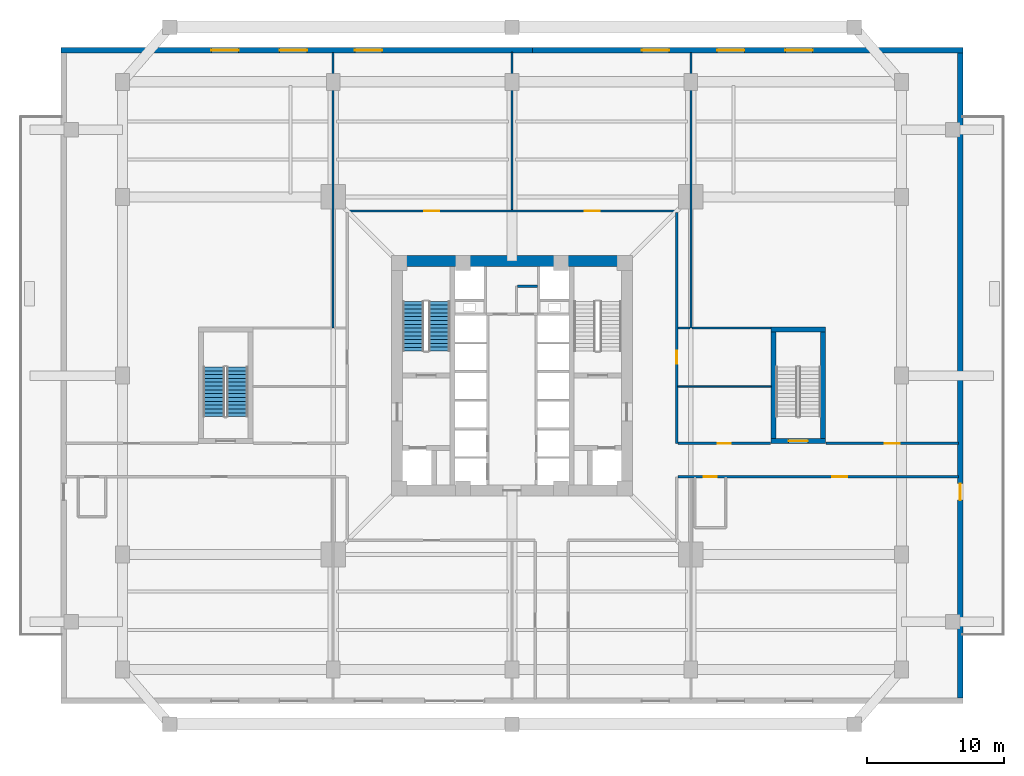
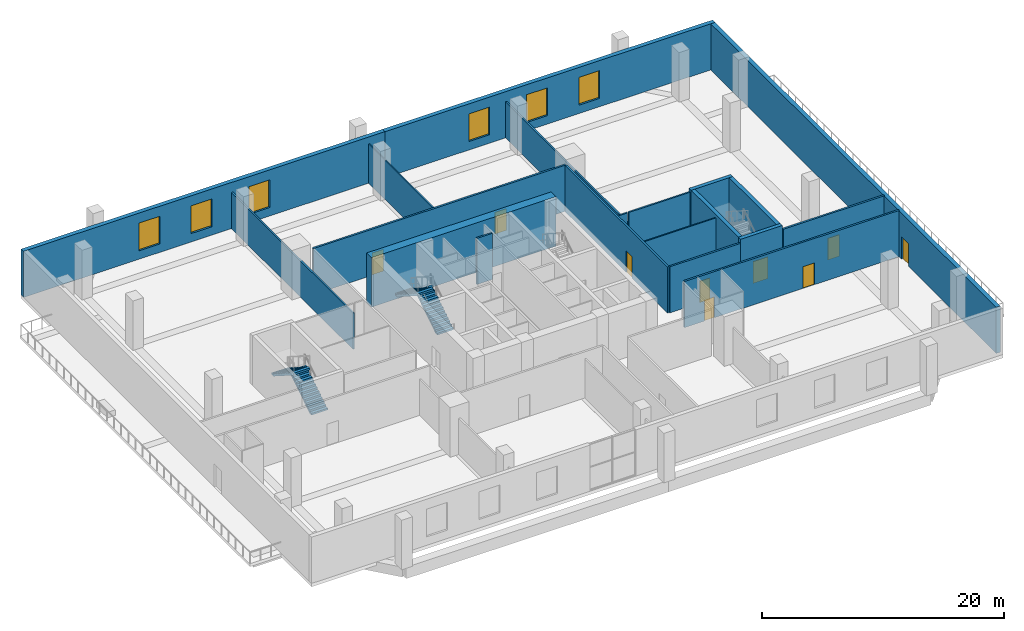
# One storey, part 8 of 14: 20 walls, 9 doors, 6 windows, 4 stair flights, 15 openings, 2 elements without a shape of their own.
"""IFC4 building model written with IfcOpenShell, lengths in metres."""

import ifcopenshell
import ifcopenshell.guid

model = None  # the IFC model being written
_history = None  # IfcOwnerHistory: only IFC2X3 demands one
_inside = {}  # id of a spatial element -> (the spatial element, [elements in it])
_under = {}  # id of a project, library or spatial element -> (it, [spatial elements below it])
_declared = {}  # id of a project -> (the project, [libraries it declares])
_typed = {}  # id of a type object -> (the type object, [elements of that type])
_made_of = {}  # id of a material, layer set ... -> (it, [elements and type objects made of it])


def new_model(schema):
    """Start an empty IFC model of exactly this schema.

    Asked for "IFC4X3", IfcOpenShell would pick the latest addendum, in which some entities
    have other attributes; the version numbers below select the first issue.
    IFC2X3 requires an IfcOwnerHistory on every rooted entity: one is made here for all.
    """
    global model, _history
    if schema == "IFC4X3":
        model = ifcopenshell.file(schema_version=(4, 3, 0, 0))
    else:
        model = ifcopenshell.file(schema=schema)
    _inside.clear()
    _under.clear()
    _declared.clear()
    _typed.clear()
    _made_of.clear()
    _history = None
    if model.schema == "IFC2X3":
        org = make("IfcOrganization", Name="unknown")
        user = make(
            "IfcPersonAndOrganization",
            ThePerson=make("IfcPerson", FamilyName="unknown"),
            TheOrganization=org,
        )
        app = make(
            "IfcApplication",
            ApplicationDeveloper=org,
            Version="unknown",
            ApplicationFullName="unknown",
            ApplicationIdentifier="unknown",
        )
        _history = make(
            "IfcOwnerHistory",
            OwningUser=user,
            OwningApplication=app,
            ChangeAction="ADDED",
            CreationDate=0,
        )
    return model


def make(cls, **values):
    """One entity of the class cls with the attributes given. An attribute that is None is left unset."""
    return model.create_entity(
        cls, **{name: value for name, value in values.items() if value is not None}
    )


def rooted(cls, **values):
    """An entity with a GlobalId (a new one), such as an element, a storey or a relation."""
    return make(cls, GlobalId=ifcopenshell.guid.new(), OwnerHistory=_history, **values)


def si_unit(unit_type, name, prefix=None):
    """IfcSIUnit, for example si_unit("LENGTHUNIT", "METRE", prefix="MILLI")."""
    return make("IfcSIUnit", UnitType=unit_type, Prefix=prefix, Name=name)


def assignment(units):
    """IfcUnitAssignment: the units of a project."""
    return None if units is None else make("IfcUnitAssignment", Units=units)


def point(xyz):
    """IfcCartesianPoint."""
    return None if xyz is None else make("IfcCartesianPoint", Coordinates=xyz)


def direction(xyz):
    """IfcDirection."""
    return None if xyz is None else make("IfcDirection", DirectionRatios=xyz)


def frame(location, z_axis=None, x_axis=None):
    """IfcAxis2Placement3D, a coordinate frame: its origin and axes. An axis left out is left unset."""
    return make(
        "IfcAxis2Placement3D",
        Location=point(location),
        Axis=direction(z_axis),
        RefDirection=direction(x_axis),
    )


def frame_2d(location, x_axis=None):
    """IfcAxis2Placement2D, a coordinate frame in the plane: its origin and x axis."""
    return make(
        "IfcAxis2Placement2D", Location=point(location), RefDirection=direction(x_axis)
    )


def origin():
    """The frame at (0, 0, 0) with its axes left unset."""
    return frame((0.0, 0.0, 0.0))


def place(relative_to, where):
    """IfcLocalPlacement: puts the frame where relative to a parent placement (None: the world)."""
    return make(
        "IfcLocalPlacement", PlacementRelTo=relative_to, RelativePlacement=where
    )


def context(
    kind, dimensions, precision=None, world=None, true_north=None, identifier=None
):
    """IfcGeometricRepresentationContext, for example the 3D "Model" context."""
    return make(
        "IfcGeometricRepresentationContext",
        ContextIdentifier=identifier,
        ContextType=kind,
        CoordinateSpaceDimension=dimensions,
        Precision=precision,
        WorldCoordinateSystem=world,
        TrueNorth=true_north,
    )


def subcontext(parent, identifier, kind, view, scale=None):
    """IfcGeometricRepresentationSubContext, for example "Body" below "Model"."""
    return make(
        "IfcGeometricRepresentationSubContext",
        ContextIdentifier=identifier,
        ContextType=kind,
        ParentContext=parent,
        TargetScale=scale,
        TargetView=view,
    )


def project(units=None, contexts=None):
    """IfcProject with its units and contexts."""
    return rooted(
        "IfcProject",
        Name="project",
        RepresentationContexts=contexts,
        UnitsInContext=assignment(units),
    )


def spatial(cls, under=None, at=None, **own):
    """A site, building, storey or space (cls), placed at a placement, below another one or the project."""
    s = rooted(cls, ObjectPlacement=at, **own)
    if under is not None:
        _under.setdefault(under.id(), (under, []))[1].append(s)
    return s


def polyline(points):
    """IfcPolyline through the points."""
    return make("IfcPolyline", Points=[point(p) for p in points])


def profile(cls, at=None, kind="AREA", **sizes):
    """A parametric profile (cls). Its sizes go by their IFC names, for example OverallWidth=200.0."""
    return make(cls, ProfileType=kind, Position=at, **sizes)


def rectangle(**sizes):
    """IfcRectangleProfileDef."""
    return profile("IfcRectangleProfileDef", **sizes)


def outline(outer, holes=None, kind="AREA"):
    """IfcArbitraryClosedProfileDef: a profile drawn as a closed curve; with holes, ...WithVoids."""
    if holes is None:
        return make("IfcArbitraryClosedProfileDef", ProfileType=kind, OuterCurve=outer)
    return make(
        "IfcArbitraryProfileDefWithVoids",
        ProfileType=kind,
        OuterCurve=outer,
        InnerCurves=holes,
    )


def extrude(swept, where, along, depth):
    """IfcExtrudedAreaSolid: the profile swept, set in the frame where, extruded along a direction by depth."""
    return make(
        "IfcExtrudedAreaSolid",
        SweptArea=swept,
        Position=where,
        ExtrudedDirection=direction(along),
        Depth=depth,
    )


def shape(context_of_items, identifier, shape_type, items):
    """IfcShapeRepresentation: the items that make up one representation, for example the "Body"."""
    return make(
        "IfcShapeRepresentation",
        ContextOfItems=context_of_items,
        RepresentationIdentifier=identifier,
        RepresentationType=shape_type,
        Items=items,
    )


def source(mapping_origin, context_of_items, identifier, shape_type, items):
    """IfcRepresentationMap: a shape defined once, which mapped items show again and again."""
    return make(
        "IfcRepresentationMap",
        MappingOrigin=mapping_origin,
        MappedRepresentation=shape(context_of_items, identifier, shape_type, items),
    )


def transform(
    local_origin,
    x_axis=None,
    y_axis=None,
    z_axis=None,
    scale=None,
    scale2=None,
    scale3=None,
    uniform=True,
):
    """IfcCartesianTransformationOperator3D, or its non-uniform kind. x_axis, y_axis, z_axis: its Axis1, 2, 3."""
    if uniform:
        return make(
            "IfcCartesianTransformationOperator3D",
            Axis1=direction(x_axis),
            Axis2=direction(y_axis),
            LocalOrigin=point(local_origin),
            Scale=scale,
            Axis3=direction(z_axis),
        )
    return make(
        "IfcCartesianTransformationOperator3DnonUniform",
        Axis1=direction(x_axis),
        Axis2=direction(y_axis),
        LocalOrigin=point(local_origin),
        Scale=scale,
        Axis3=direction(z_axis),
        Scale2=scale2,
        Scale3=scale3,
    )


def mapped(mapping_source, mapping_target):
    """IfcMappedItem: shows the shape of a source again, moved by a transform."""
    return make(
        "IfcMappedItem", MappingSource=mapping_source, MappingTarget=mapping_target
    )


def material(Name=None, Category=None):
    """IfcMaterial."""
    return make("IfcMaterial", Name=Name, Category=Category)


def layer(
    of_material, thickness, ventilated=None, Name=None, Category=None, Priority=None
):
    """IfcMaterialLayer: one layer of a wall or slab, of a material (None: an air gap)."""
    return make(
        "IfcMaterialLayer",
        Material=of_material,
        LayerThickness=thickness,
        IsVentilated=ventilated,
        Name=Name,
        Category=Category,
        Priority=Priority,
    )


def layer_set(layers, Name=None):
    """IfcMaterialLayerSet."""
    return make("IfcMaterialLayerSet", MaterialLayers=layers, LayerSetName=Name)


def made_of(thing, what):
    """Note that an element or type object is made of a material, layer set ...; save() writes the relation."""
    if what is not None:
        _made_of.setdefault(what.id(), (what, []))[1].append(thing)
    return thing


def type_object(cls, material=None, **own):
    """A type object (cls), such as IfcWallType, which elements share."""
    return made_of(rooted(cls, **own), material)


def element(
    cls,
    number,
    at=None,
    inside=None,
    cuts=None,
    type_object=None,
    material=None,
    context=None,
    identifier="Body",
    shape_type=None,
    held_by="IfcProductDefinitionShape",
    body=None,
    shapes=None,
    **own,
):
    """One element of the class cls, such as IfcWall. Its Tag is "e" and its number.

    at: its placement. inside: the storey or other place that contains it. cuts: it is an
    opening in that element (IfcRelVoidsElement). A single representation is given by context,
    identifier, shape_type and body (its items); several are given by shapes. held_by: the class
    of the entity that holds the representations. save() writes the other relations.
    """
    e = rooted(cls, Tag="e%d" % number, ObjectPlacement=at, **own)
    if body is not None:
        shapes = [shape(context, identifier, shape_type, body)]
    if shapes is not None:
        e.Representation = make(held_by, Representations=shapes)
    if inside is not None:
        _inside.setdefault(inside.id(), (inside, []))[1].append(e)
    if cuts is not None:
        rooted(
            "IfcRelVoidsElement", RelatingBuildingElement=cuts, RelatedOpeningElement=e
        )
    if type_object is not None:
        _typed.setdefault(type_object.id(), (type_object, []))[1].append(e)
    return made_of(e, material)


def fill(opening, filler):
    """IfcRelFillsElement: the door or window that sits in an opening."""
    return rooted(
        "IfcRelFillsElement",
        RelatingOpeningElement=opening,
        RelatedBuildingElement=filler,
    )


def aggregate(whole, parts):
    """IfcRelAggregates: a whole, such as a stair, and the parts it consists of."""
    return rooted("IfcRelAggregates", RelatingObject=whole, RelatedObjects=parts)


def save(model, path):
    """Write the relations noted so far, then the file.

    IfcRelAggregates (storeys below a building ...), IfcRelContainedInSpatialStructure (elements
    in a storey), IfcRelDefinesByType, IfcRelAssociatesMaterial and IfcRelDeclares: one each for
    every whole, place, type object, material and project.
    """
    for whole, parts in _under.values():
        aggregate(whole, parts)
    for where, things in _inside.values():
        rooted(
            "IfcRelContainedInSpatialStructure",
            RelatedElements=things,
            RelatingStructure=where,
        )
    for kind, things in _typed.values():
        rooted("IfcRelDefinesByType", RelatedObjects=things, RelatingType=kind)
    for what, things in _made_of.values():
        rooted("IfcRelAssociatesMaterial", RelatedObjects=things, RelatingMaterial=what)
    for by, libraries in _declared.values():
        rooted("IfcRelDeclares", RelatingContext=by, RelatedDefinitions=libraries)
    model.write(path)


model = new_model("IFC4")

# Units and contexts
model_context = context("Model", 3, precision=1e-05, world=origin(), true_north=direction((0.0, 1.0)))
body_context = subcontext(model_context, "Body", "Model", "MODEL_VIEW")
ifc_project = project(units=[si_unit("LENGTHUNIT", "METRE"), si_unit("AREAUNIT", "SQUARE_METRE"), si_unit("VOLUMEUNIT", "CUBIC_METRE"), si_unit("PLANEANGLEUNIT", "RADIAN"), si_unit("MASSUNIT", "GRAM", prefix="KILO"), si_unit("THERMODYNAMICTEMPERATUREUNIT", "KELVIN")], contexts=[model_context])

# Site, building, storey
site_placement = place(None, origin())
site = spatial("IfcSite", under=ifc_project, at=site_placement, CompositionType="ELEMENT")
building_placement = place(site_placement, origin())
building = spatial("IfcBuilding", under=site, at=building_placement, Name="Kosmvard Interchange Tower", CompositionType="ELEMENT")
storey_placement = place(building_placement, frame((0.0, 0.0, 16.0)))
storey = spatial("IfcBuildingStorey", under=building, at=storey_placement, Name="L03", CompositionType="ELEMENT", Elevation=16.0)

# Walls
ifc_material_1 = material(Name="Acoustic gypsum partition system")
ifc_layer_1 = layer(ifc_material_1, 0.14990234375, Name="Acoustic gypsum partition system")
ifc_layer_set_1 = layer_set([ifc_layer_1], Name="Acoustic gypsum partition system")
wall_type_1 = type_object("IfcWallType", Name="Acoustic Suite & Meeting Partition 150", PredefinedType="PARTITIONING", material=ifc_layer_set_1)
for number, where, z_axis, x_axis, name in (
    (1, (-13.0810546875, 3.5, 0.0), (0.0, 0.0, 1.0), (0.0, 1.0, 0.0), "L03 Room Partition 01.1"),
    (2, (13.0810546875, 3.5, 0.0), (0.0, 0.0, 1.0), (0.0, 1.0, 0.0), "L03 Room Partition 03.1"),
):
    element("IfcWall", number, at=place(storey_placement, frame(where, z_axis=z_axis, x_axis=x_axis)), inside=storey, type_object=wall_type_1, Name=name, PredefinedType="PARTITIONING", context=body_context, shape_type="SweptSolid", body=[
        extrude(rectangle(XDim=20.1650390625, YDim=0.14990234375, at=frame_2d((10.08251953125, 0.0))), origin(), (0.0, 0.0, 1.0), 3.652099609375),
    ])
wall_1_placement = place(storey_placement, frame((12.14501953125, 3.5, 0.0), z_axis=(0.0, 0.0, 1.0), x_axis=(1.0, 0.0, 0.0)))
element("IfcWall", 3, at=wall_1_placement, inside=storey, type_object=wall_type_1, Name="L03 Room Partition 05.1", PredefinedType="PARTITIONING", context=body_context, shape_type="SweptSolid", body=[
    extrude(rectangle(XDim=0.861083984375, YDim=0.14990234375, at=frame_2d((0.4306640625, 0.0))), origin(), (0.0, 0.0, 1.0), 4.659912109375),
])
wall_2_placement = place(storey_placement, frame((13.156005859375, 3.5, 0.0), z_axis=(0.0, 0.0, 1.0), x_axis=(1.0, 0.0, 0.0)))
element("IfcWall", 4, at=wall_2_placement, inside=storey, type_object=wall_type_1, Name="L03 Room Partition 05.2", PredefinedType="PARTITIONING", context=body_context, shape_type="SweptSolid", body=[
    extrude(rectangle(XDim=5.803955078125, YDim=0.14990234375, at=frame_2d((2.90185546875, 0.0))), origin(), (0.0, 0.0, 1.0), 4.659912109375),
])
ifc_material_2 = material(Name="Concrete blockwork masonry", Category="masonry")
ifc_layer_2 = layer(ifc_material_2, 0.159912109375, Name="Concrete blockwork masonry")
ifc_layer_set_2 = layer_set([ifc_layer_2], Name="Concrete blockwork masonry")
wall_type_2 = type_object("IfcWallType", Name="Core Enclosure Split Wall 160", PredefinedType="PARTITIONING", material=ifc_layer_set_2)
wall_3_placement = place(storey_placement, frame((0.39990234375, 6.550048828125, 0.0), z_axis=(0.0, 0.0, 1.0), x_axis=(1.0, 0.0, 0.0)))
element("IfcWall", 5, at=wall_3_placement, inside=storey, type_object=wall_type_2, Name="L03 Core K3 L-Wall 2", PredefinedType="PARTITIONING", context=body_context, shape_type="SweptSolid", body=[
    extrude(rectangle(XDim=1.460205078125, YDim=0.159912109375, at=frame_2d((0.72998046875, 0.0))), origin(), (0.0, 0.0, 1.0), 4.659912109375),
])

# Wall, openings, doors
ifc_material_3 = material(Name="Fire-rated gypsum partition system")
ifc_layer_3 = layer(ifc_material_3, 0.179931640625, Name="Fire-rated gypsum partition system")
ifc_layer_set_3 = layer_set([ifc_layer_3], Name="Fire-rated gypsum partition system")
wall_type_3 = type_object("IfcWallType", Name="Corridor & Hotel Compartment Partition 180", PredefinedType="PARTITIONING", material=ifc_layer_set_3)
wall_4_placement = place(storey_placement, frame((-12.050048828125, 12.050048828125, 0.0), z_axis=(0.0, 0.0, 1.0), x_axis=(1.0, 0.0, 0.0)))
wall_4 = element("IfcWall", 6, at=wall_4_placement, inside=storey, type_object=wall_type_3, Name="L03 Corridor Wall CN", PredefinedType="PARTITIONING", context=body_context, shape_type="SweptSolid", body=[
    extrude(rectangle(XDim=24.10009765625, YDim=0.179931640625, at=frame_2d((12.050048828125, 0.0))), origin(), (0.0, 0.0, 1.0), 4.659912109375),
])
opening_1_placement = place(wall_4_placement, frame((5.639404296875, 0.0, 0.0)))
opening_1 = element("IfcOpeningElement", 7, at=opening_1_placement, cuts=wall_4, Name="Opening L03-D04", PredefinedType="OPENING", context=body_context, shape_type="SweptSolid", body=[
    extrude(rectangle(XDim=1.10009765625, YDim=2.199951171875, at=frame_2d((0.550048828125, 1.10009765625))), frame((0.0, 0.10009765625, 0.0), z_axis=(0.0, -1.0, 0.0), x_axis=(1.0, 0.0, 0.0)), (0.0, 0.0, 1.0), 0.199951171875),
])
opening_2_placement = place(wall_4_placement, frame((17.360595703125, 0.0, 0.0)))
opening_2 = element("IfcOpeningElement", 8, at=opening_2_placement, cuts=wall_4, Name="Opening L03-D05", PredefinedType="OPENING", context=body_context, shape_type="SweptSolid", body=[
    extrude(rectangle(XDim=1.10009765625, YDim=2.199951171875, at=frame_2d((0.550048828125, 1.10009765625))), frame((0.0, 0.10009765625, 0.0), z_axis=(0.0, -1.0, 0.0), x_axis=(1.0, 0.0, 0.0)), (0.0, 0.0, 1.0), 0.199951171875),
])
ifc_material_4 = material(Name="Engineered oak fire-rated timber", Category="wood")
door_type_1 = type_object("IfcDoorType", Name="Office Suite Entrance Door 1100x2200 FD30S", OperationType="NOTDEFINED", PredefinedType="DOOR", material=ifc_material_4)
shared_shape_1 = source(origin(), body_context, "Body", "SweptSolid", [
    extrude(rectangle(XDim=1.10009765625, YDim=2.199951171875, at=frame_2d((0.550048828125, 1.10009765625))), frame((0.0, 0.02490234375, 0.0), z_axis=(0.0, -1.0, 0.0), x_axis=(1.0, 0.0, 0.0)), (0.0, 0.0, 1.0), 0.050048828125),
])
door_1_placement = place(opening_1_placement, origin())
door_1 = element("IfcDoor", 9, at=door_1_placement, inside=storey, type_object=door_type_1, Name="L03 L03 Conference Room 1 Door", OperationType="SINGLE_SWING_RIGHT", OverallHeight=2.199951171875, OverallWidth=1.10009765625, PredefinedType="DOOR", context=body_context, shape_type="MappedRepresentation", body=[
    mapped(shared_shape_1, transform((0.0, 0.0, 0.0), scale=1.0)),
])
fill(opening_1, door_1)
door_2_placement = place(opening_2_placement, origin())
door_2 = element("IfcDoor", 10, at=door_2_placement, inside=storey, type_object=door_type_1, Name="L03 L03 Conference Room 2 Door", OperationType="SINGLE_SWING_LEFT", OverallHeight=2.199951171875, OverallWidth=1.10009765625, PredefinedType="DOOR", context=body_context, shape_type="MappedRepresentation", body=[
    mapped(shared_shape_1, transform((0.0, 0.0, 0.0), scale=1.0)),
])
fill(opening_2, door_2)

# Wall, opening, door
wall_5_placement = place(storey_placement, frame((12.050048828125, -4.9599609375, 0.0), z_axis=(0.0, 0.0, 1.0), x_axis=(0.0, 1.0, 0.0)))
wall_5 = element("IfcWall", 11, at=wall_5_placement, inside=storey, type_object=wall_type_3, Name="L03 Corridor Wall CEN", PredefinedType="PARTITIONING", context=body_context, shape_type="SweptSolid", body=[
    extrude(rectangle(XDim=16.909912109375, YDim=0.179931640625, at=frame_2d((8.455078125, 0.0))), origin(), (0.0, 0.0, 1.0), 4.659912109375),
])
opening_3_placement = place(wall_5_placement, frame((5.8349609375, 0.0, 0.0)))
opening_3 = element("IfcOpeningElement", 12, at=opening_3_placement, cuts=wall_5, Name="Opening L03-D10", PredefinedType="OPENING", context=body_context, shape_type="SweptSolid", body=[
    extrude(rectangle(XDim=0.949951171875, YDim=2.14990234375, at=frame_2d((0.47509765625, 1.074951171875))), frame((0.0, 0.10009765625, 0.0), z_axis=(0.0, -1.0, 0.0), x_axis=(1.0, 0.0, 0.0)), (0.0, 0.0, 1.0), 0.199951171875),
])
ifc_material_5 = material(Name="Engineered oak acoustic timber", Category="wood")
door_type_2 = type_object("IfcDoorType", Name="Meeting & Cellular Office Door 950x2150", OperationType="NOTDEFINED", PredefinedType="DOOR", material=ifc_material_5)
shared_shape_2 = source(origin(), body_context, "Body", "SweptSolid", [
    extrude(rectangle(XDim=0.949951171875, YDim=2.14990234375, at=frame_2d((0.47509765625, 1.074951171875))), frame((0.0, 0.02490234375, 0.0), z_axis=(0.0, -1.0, 0.0), x_axis=(1.0, 0.0, 0.0)), (0.0, 0.0, 1.0), 0.050048828125),
])
door_3_placement = place(opening_3_placement, frame((0.949951171875, 0.0, 0.0), z_axis=(0.0, 0.0, 1.0), x_axis=(-1.0, 0.0, 0.0)))
door_3 = element("IfcDoor", 13, at=door_3_placement, inside=storey, type_object=door_type_2, Name="L03 L03 Advisory Office 2 Door", OperationType="SINGLE_SWING_RIGHT", OverallHeight=2.14990234375, OverallWidth=0.949951171875, PredefinedType="DOOR", context=body_context, shape_type="MappedRepresentation", body=[
    mapped(shared_shape_2, transform((0.0, 0.0, 0.0), scale=1.0)),
])
fill(opening_3, door_3)

# Wall, openings, doors
wall_6_placement = place(storey_placement, frame((12.14990234375, -7.39990234375, 0.0), z_axis=(0.0, 0.0, 1.0), x_axis=(1.0, 0.0, 0.0)))
wall_6 = element("IfcWall", 14, at=wall_6_placement, inside=storey, type_object=wall_type_3, Name="L03 Corridor Wall SES", PredefinedType="PARTITIONING", context=body_context, shape_type="SweptSolid", body=[
    extrude(rectangle(XDim=20.51513671875, YDim=0.179931640625, at=frame_2d((10.257568359375, 0.0))), origin(), (0.0, 0.0, 1.0), 4.659912109375),
])
opening_4_placement = place(wall_6_placement, frame((1.89208984375, 0.0, 0.0)))
opening_4 = element("IfcOpeningElement", 15, at=opening_4_placement, cuts=wall_6, Name="Opening L03-D02", PredefinedType="OPENING", context=body_context, shape_type="SweptSolid", body=[
    extrude(rectangle(XDim=0.949951171875, YDim=2.10009765625, at=frame_2d((0.47509765625, 1.050048828125))), frame((0.0, 0.10009765625, 0.0), z_axis=(0.0, -1.0, 0.0), x_axis=(1.0, 0.0, 0.0)), (0.0, 0.0, 1.0), 0.199951171875),
])
opening_5_placement = place(wall_6_placement, frame((11.282958984375, 0.0, 0.0)))
opening_5 = element("IfcOpeningElement", 16, at=opening_5_placement, cuts=wall_6, Name="Opening L03-D15", PredefinedType="OPENING", context=body_context, shape_type="SweptSolid", body=[
    extrude(rectangle(XDim=1.10009765625, YDim=2.199951171875, at=frame_2d((0.550048828125, 1.10009765625))), frame((0.0, 0.10009765625, 0.0), z_axis=(0.0, -1.0, 0.0), x_axis=(1.0, 0.0, 0.0)), (0.0, 0.0, 1.0), 0.199951171875),
])
ifc_material_6 = material(Name="Laminated moisture-resistant timber", Category="wood")
door_type_3 = type_object("IfcDoorType", Name="Accessible Washroom Door 950x2100", OperationType="NOTDEFINED", PredefinedType="DOOR", material=ifc_material_6)
shared_shape_3 = source(origin(), body_context, "Body", "SweptSolid", [
    extrude(rectangle(XDim=0.949951171875, YDim=2.10009765625, at=frame_2d((0.47509765625, 1.050048828125))), frame((0.0, 0.02490234375, 0.0), z_axis=(0.0, -1.0, 0.0), x_axis=(1.0, 0.0, 0.0)), (0.0, 0.0, 1.0), 0.050048828125),
])
door_4_placement = place(opening_4_placement, frame((0.949951171875, 0.0, 0.0), z_axis=(0.0, 0.0, 1.0), x_axis=(-1.0, 0.0, 0.0)))
door_4 = element("IfcDoor", 17, at=door_4_placement, inside=storey, type_object=door_type_3, Name="L03 Public Floor Washroom Door", OperationType="SINGLE_SWING_RIGHT", OverallHeight=2.10009765625, OverallWidth=0.949951171875, PredefinedType="DOOR", context=body_context, shape_type="MappedRepresentation", body=[
    mapped(shared_shape_3, transform((0.0, 0.0, 0.0), scale=1.0)),
])
fill(opening_4, door_4)
door_5_placement = place(opening_5_placement, frame((1.10009765625, 0.0, 0.0), z_axis=(0.0, 0.0, 1.0), x_axis=(-1.0, 0.0, 0.0)))
door_5 = element("IfcDoor", 18, at=door_5_placement, inside=storey, type_object=door_type_1, Name="L03 L03 East Terrace Club Lounge Door", OperationType="SINGLE_SWING_LEFT", OverallHeight=2.199951171875, OverallWidth=1.10009765625, PredefinedType="DOOR", context=body_context, shape_type="MappedRepresentation", body=[
    mapped(shared_shape_1, transform((0.0, 0.0, 0.0), scale=1.0)),
])
fill(opening_5, door_5)

# Wall, opening, door
wall_7_placement = place(storey_placement, frame((12.14990234375, -4.9599609375, 0.0), z_axis=(0.0, 0.0, 1.0), x_axis=(1.0, 0.0, 0.0)))
wall_7 = element("IfcWall", 19, at=wall_7_placement, inside=storey, type_object=wall_type_3, Name="L03 Corridor Wall SEN1", PredefinedType="PARTITIONING", context=body_context, shape_type="SweptSolid", body=[
    extrude(rectangle(XDim=6.77001953125, YDim=0.179931640625, at=frame_2d((3.385009765625, 0.0))), origin(), (0.0, 0.0, 1.0), 4.659912109375),
])
opening_6_placement = place(wall_7_placement, frame((2.909912109375, 0.0, 0.0)))
opening_6 = element("IfcOpeningElement", 20, at=opening_6_placement, cuts=wall_7, Name="Opening L03-D09", PredefinedType="OPENING", context=body_context, shape_type="SweptSolid", body=[
    extrude(rectangle(XDim=0.949951171875, YDim=2.14990234375, at=frame_2d((0.47509765625, 1.074951171875))), frame((0.0, 0.10009765625, 0.0), z_axis=(0.0, -1.0, 0.0), x_axis=(1.0, 0.0, 0.0)), (0.0, 0.0, 1.0), 0.199951171875),
])
door_6_placement = place(opening_6_placement, origin())
door_6 = element("IfcDoor", 21, at=door_6_placement, inside=storey, type_object=door_type_2, Name="L03 L03 Station Operations Office 1 Door", OperationType="SINGLE_SWING_LEFT", OverallHeight=2.14990234375, OverallWidth=0.949951171875, PredefinedType="DOOR", context=body_context, shape_type="MappedRepresentation", body=[
    mapped(shared_shape_2, transform((0.0, 0.0, 0.0), scale=1.0)),
])
fill(opening_6, door_6)

wall_8_placement = place(storey_placement, frame((22.97998046875, -4.9599609375, 0.0), z_axis=(0.0, 0.0, 1.0), x_axis=(1.0, 0.0, 0.0)))
wall_8 = element("IfcWall", 22, at=wall_8_placement, inside=storey, type_object=wall_type_3, Name="L03 Corridor Wall SEN2", PredefinedType="PARTITIONING", context=body_context, shape_type="SweptSolid", body=[
    extrude(rectangle(XDim=9.68505859375, YDim=0.179931640625, at=frame_2d((4.842529296875, 0.0))), origin(), (0.0, 0.0, 1.0), 4.659912109375),
])
opening_7_placement = place(wall_8_placement, frame((4.29248046875, 0.0, 0.0)))
opening_7 = element("IfcOpeningElement", 23, at=opening_7_placement, cuts=wall_8, Name="Opening L03-D06", PredefinedType="OPENING", context=body_context, shape_type="SweptSolid", body=[
    extrude(rectangle(XDim=1.10009765625, YDim=2.199951171875, at=frame_2d((0.550048828125, 1.10009765625))), frame((0.0, 0.10009765625, 0.0), z_axis=(0.0, -1.0, 0.0), x_axis=(1.0, 0.0, 0.0)), (0.0, 0.0, 1.0), 0.199951171875),
])
door_7_placement = place(opening_7_placement, origin())
door_7 = element("IfcDoor", 24, at=door_7_placement, inside=storey, type_object=door_type_1, Name="L03 L03 East Wellness Studio Door", OperationType="SINGLE_SWING_RIGHT", OverallHeight=2.199951171875, OverallWidth=1.10009765625, PredefinedType="DOOR", context=body_context, shape_type="MappedRepresentation", body=[
    mapped(shared_shape_1, transform((0.0, 0.0, 0.0), scale=1.0)),
])
fill(opening_7, door_7)

# Walls
ifc_material_7 = material(Name="Concrete C80/95", Category="concrete")
ifc_layer_4 = layer(ifc_material_7, 0.800048828125, Name="Concrete C80/95")
ifc_layer_set_4 = layer_set([ifc_layer_4], Name="Concrete C80/95")
wall_type_4 = type_object("IfcWallType", Name="Lower Core Shear Wall 800 C80/95", PredefinedType="SHEAR", material=ifc_layer_set_4)
wall_9_placement = place(storey_placement, frame((-8.800048828125, 8.39990234375, 0.0), z_axis=(0.0, 0.0, 1.0), x_axis=(1.0, 0.0, 0.0)))
element("IfcWall", 25, at=wall_9_placement, inside=storey, type_object=wall_type_4, Name="L03 Core Shear Wall CW-N", PredefinedType="SHEAR", context=body_context, shape_type="SweptSolid", body=[
    extrude(rectangle(XDim=17.60009765625, YDim=0.800048828125, at=frame_2d((8.800048828125, 0.0))), origin(), (0.0, 0.0, 1.0), 5.0),
])
ifc_material_8 = material(Name="Gypsum board partition system")
ifc_layer_5 = layer(ifc_material_8, 0.1201171875, Name="Gypsum board partition system")
ifc_layer_set_5 = layer_set([ifc_layer_5], Name="Gypsum board partition system")
wall_type_5 = type_object("IfcWallType", Name="Office Cellular Partition 120", PredefinedType="PARTITIONING", material=ifc_layer_set_5)
wall_10_placement = place(storey_placement, frame((0.0, 12.14501953125, 0.0), z_axis=(0.0, 0.0, 1.0), x_axis=(0.0, 1.0, 0.0)))
element("IfcWall", 26, at=wall_10_placement, inside=storey, type_object=wall_type_5, Name="L03 Room Partition 02.1", PredefinedType="PARTITIONING", context=body_context, shape_type="SweptSolid", body=[
    extrude(rectangle(XDim=11.52001953125, YDim=0.1201171875, at=frame_2d((5.760009765625, 0.0))), origin(), (0.0, 0.0, 1.0), 3.949951171875),
])
wall_11_placement = place(storey_placement, frame((12.14501953125, -0.800048828125, 0.0), z_axis=(0.0, 0.0, 1.0), x_axis=(1.0, 0.0, 0.0)))
element("IfcWall", 27, at=wall_11_placement, inside=storey, type_object=wall_type_5, Name="L03 Room Partition 07.1", PredefinedType="PARTITIONING", context=body_context, shape_type="SweptSolid", body=[
    extrude(rectangle(XDim=6.81494140625, YDim=0.1201171875, at=frame_2d((3.407470703125, 0.0))), origin(), (0.0, 0.0, 1.0), 4.659912109375),
])

# Wall, openings, windows
ifc_material_9 = material(Name="Precast concrete C45/55", Category="concrete")
ifc_layer_6 = layer(ifc_material_9, 0.39990234375, Name="Precast concrete C45/55")
ifc_layer_set_6 = layer_set([ifc_layer_6], Name="Precast concrete C45/55")
wall_type_6 = type_object("IfcWallType", Name="Podium Precast Stone Pier Wall 400 C45/55", PredefinedType="STANDARD", material=ifc_layer_set_6)
wall_12_placement = place(storey_placement, frame((-33.0, 23.800048828125, 0.0), z_axis=(0.0, 0.0, 1.0), x_axis=(1.0, 0.0, 0.0)))
wall_12 = element("IfcWall", 28, at=wall_12_placement, inside=storey, type_object=wall_type_6, Name="L03 Podium Precast Wall EW-N1", PredefinedType="STANDARD", context=body_context, shape_type="SweptSolid", body=[
    extrude(rectangle(XDim=34.5, YDim=0.39990234375, at=frame_2d((17.25, 0.0))), origin(), (0.0, 0.0, 1.0), 4.659912109375),
])
opening_8_placement = place(wall_12_placement, frame((11.0, 0.0, 0.85009765625)))
opening_8 = element("IfcOpeningElement", 29, at=opening_8_placement, cuts=wall_12, Name="Opening L03-W7", PredefinedType="OPENING", context=body_context, shape_type="SweptSolid", body=[
    extrude(rectangle(XDim=2.0, YDim=2.800048828125, at=frame_2d((1.0, 1.39990234375))), frame((0.0, 0.2099609375, 0.0), z_axis=(0.0, -1.0, 0.0), x_axis=(1.0, 0.0, 0.0)), (0.0, 0.0, 1.0), 0.419921875),
])
opening_9_placement = place(wall_12_placement, frame((16.0, 0.0, 0.85009765625)))
opening_9 = element("IfcOpeningElement", 30, at=opening_9_placement, cuts=wall_12, Name="Opening L03-W8", PredefinedType="OPENING", context=body_context, shape_type="SweptSolid", body=[
    extrude(rectangle(XDim=2.0, YDim=2.800048828125, at=frame_2d((1.0, 1.39990234375))), frame((0.0, 0.2099609375, 0.0), z_axis=(0.0, -1.0, 0.0), x_axis=(1.0, 0.0, 0.0)), (0.0, 0.0, 1.0), 0.419921875),
])
opening_10_placement = place(wall_12_placement, frame((21.5, 0.0, 0.85009765625)))
opening_10 = element("IfcOpeningElement", 31, at=opening_10_placement, cuts=wall_12, Name="Opening L03-W9", PredefinedType="OPENING", context=body_context, shape_type="SweptSolid", body=[
    extrude(rectangle(XDim=2.0, YDim=2.800048828125, at=frame_2d((1.0, 1.39990234375))), frame((0.0, 0.2099609375, 0.0), z_axis=(0.0, -1.0, 0.0), x_axis=(1.0, 0.0, 0.0)), (0.0, 0.0, 1.0), 0.419921875),
])
ifc_material_10 = material(Name="Low-E solar-control double glazing", Category="glass")
window_type = type_object("IfcWindowType", Name="Podium Lounge Punched Window 2000x2800", PartitioningType="SINGLE_PANEL", PredefinedType="WINDOW", material=ifc_material_10)
shared_shape_4 = source(origin(), body_context, "Body", "SweptSolid", [
    extrude(rectangle(XDim=2.0, YDim=2.800048828125, at=frame_2d((1.0, 1.39990234375))), frame((0.0, 0.030029296875, 0.0), z_axis=(0.0, -1.0, 0.0), x_axis=(1.0, 0.0, 0.0)), (0.0, 0.0, 1.0), 0.06005859375),
])
window_1_placement = place(opening_8_placement, origin())
window_1 = element("IfcWindow", 32, at=window_1_placement, inside=storey, type_object=window_type, Name="L03 Podium Window 7", OverallHeight=2.800048828125, OverallWidth=2.0, PartitioningType="SINGLE_PANEL", PredefinedType="WINDOW", context=body_context, shape_type="MappedRepresentation", body=[
    mapped(shared_shape_4, transform((0.0, 0.0, 0.0), scale=1.0)),
])
fill(opening_8, window_1)
window_2_placement = place(opening_9_placement, origin())
window_2 = element("IfcWindow", 33, at=window_2_placement, inside=storey, type_object=window_type, Name="L03 Podium Window 8", OverallHeight=2.800048828125, OverallWidth=2.0, PartitioningType="SINGLE_PANEL", PredefinedType="WINDOW", context=body_context, shape_type="MappedRepresentation", body=[
    mapped(shared_shape_4, transform((0.0, 0.0, 0.0), scale=1.0)),
])
fill(opening_9, window_2)
window_3_placement = place(opening_10_placement, origin())
window_3 = element("IfcWindow", 34, at=window_3_placement, inside=storey, type_object=window_type, Name="L03 Podium Window 9", OverallHeight=2.800048828125, OverallWidth=2.0, PartitioningType="SINGLE_PANEL", PredefinedType="WINDOW", context=body_context, shape_type="MappedRepresentation", body=[
    mapped(shared_shape_4, transform((0.0, 0.0, 0.0), scale=1.0)),
])
fill(opening_10, window_3)

wall_13_placement = place(storey_placement, frame((1.5, 23.800048828125, 0.0), z_axis=(0.0, 0.0, 1.0), x_axis=(1.0, 0.0, 0.0)))
wall_13 = element("IfcWall", 35, at=wall_13_placement, inside=storey, type_object=wall_type_6, Name="L03 Podium Precast Wall EW-N2", PredefinedType="STANDARD", context=body_context, shape_type="SweptSolid", body=[
    extrude(rectangle(XDim=31.5, YDim=0.39990234375, at=frame_2d((15.75, 0.0))), origin(), (0.0, 0.0, 1.0), 4.659912109375),
])
opening_11_placement = place(wall_13_placement, frame((8.0, 0.0, 0.85009765625)))
opening_11 = element("IfcOpeningElement", 36, at=opening_11_placement, cuts=wall_13, Name="Opening L03-W10", PredefinedType="OPENING", context=body_context, shape_type="SweptSolid", body=[
    extrude(rectangle(XDim=2.0, YDim=2.800048828125, at=frame_2d((1.0, 1.39990234375))), frame((0.0, 0.2099609375, 0.0), z_axis=(0.0, -1.0, 0.0), x_axis=(1.0, 0.0, 0.0)), (0.0, 0.0, 1.0), 0.419921875),
])
opening_12_placement = place(wall_13_placement, frame((13.5, 0.0, 0.85009765625)))
opening_12 = element("IfcOpeningElement", 37, at=opening_12_placement, cuts=wall_13, Name="Opening L03-W11", PredefinedType="OPENING", context=body_context, shape_type="SweptSolid", body=[
    extrude(rectangle(XDim=2.0, YDim=2.800048828125, at=frame_2d((1.0, 1.39990234375))), frame((0.0, 0.2099609375, 0.0), z_axis=(0.0, -1.0, 0.0), x_axis=(1.0, 0.0, 0.0)), (0.0, 0.0, 1.0), 0.419921875),
])
opening_13_placement = place(wall_13_placement, frame((18.5, 0.0, 0.85009765625)))
opening_13 = element("IfcOpeningElement", 38, at=opening_13_placement, cuts=wall_13, Name="Opening L03-W12", PredefinedType="OPENING", context=body_context, shape_type="SweptSolid", body=[
    extrude(rectangle(XDim=2.0, YDim=2.800048828125, at=frame_2d((1.0, 1.39990234375))), frame((0.0, 0.2099609375, 0.0), z_axis=(0.0, -1.0, 0.0), x_axis=(1.0, 0.0, 0.0)), (0.0, 0.0, 1.0), 0.419921875),
])
window_4_placement = place(opening_11_placement, origin())
window_4 = element("IfcWindow", 39, at=window_4_placement, inside=storey, type_object=window_type, Name="L03 Podium Window 10", OverallHeight=2.800048828125, OverallWidth=2.0, PartitioningType="SINGLE_PANEL", PredefinedType="WINDOW", context=body_context, shape_type="MappedRepresentation", body=[
    mapped(shared_shape_4, transform((0.0, 0.0, 0.0), scale=1.0)),
])
fill(opening_11, window_4)
window_5_placement = place(opening_12_placement, origin())
window_5 = element("IfcWindow", 40, at=window_5_placement, inside=storey, type_object=window_type, Name="L03 Podium Window 11", OverallHeight=2.800048828125, OverallWidth=2.0, PartitioningType="SINGLE_PANEL", PredefinedType="WINDOW", context=body_context, shape_type="MappedRepresentation", body=[
    mapped(shared_shape_4, transform((0.0, 0.0, 0.0), scale=1.0)),
])
fill(opening_12, window_5)
window_6_placement = place(opening_13_placement, origin())
window_6 = element("IfcWindow", 41, at=window_6_placement, inside=storey, type_object=window_type, Name="L03 Podium Window 12", OverallHeight=2.800048828125, OverallWidth=2.0, PartitioningType="SINGLE_PANEL", PredefinedType="WINDOW", context=body_context, shape_type="MappedRepresentation", body=[
    mapped(shared_shape_4, transform((0.0, 0.0, 0.0), scale=1.0)),
])
fill(opening_13, window_6)

# Wall, opening, door
wall_14_placement = place(storey_placement, frame((32.800048828125, -23.60009765625, 0.0), z_axis=(0.0, 0.0, 1.0), x_axis=(0.0, 1.0, 0.0)))
wall_14 = element("IfcWall", 42, at=wall_14_placement, inside=storey, type_object=wall_type_6, Name="L03 Podium Precast Wall EW-E", PredefinedType="STANDARD", context=body_context, shape_type="SweptSolid", body=[
    extrude(rectangle(XDim=47.2001953125, YDim=0.39990234375, at=frame_2d((23.60009765625, 0.0))), origin(), (0.0, 0.0, 1.0), 4.659912109375),
])
opening_14_placement = place(wall_14_placement, frame((14.5, 0.0, 0.0)))
opening_14 = element("IfcOpeningElement", 43, at=opening_14_placement, cuts=wall_14, Name="Opening L03-TDE", PredefinedType="OPENING", context=body_context, shape_type="SweptSolid", body=[
    extrude(rectangle(XDim=1.199951171875, YDim=2.300048828125, at=frame_2d((0.60009765625, 1.14990234375))), frame((0.0, 0.2099609375, 0.0), z_axis=(0.0, -1.0, 0.0), x_axis=(1.0, 0.0, 0.0)), (0.0, 0.0, 1.0), 0.419921875),
])
ifc_material_11 = material(Name="Anodised aluminium and safety glass", Category="aluminium")
door_type_4 = type_object("IfcDoorType", Name="Cascade Terrace Glazed Door 1200x2300", OperationType="NOTDEFINED", PredefinedType="DOOR", material=ifc_material_11)
shared_shape_5 = source(origin(), body_context, "Body", "SweptSolid", [
    extrude(rectangle(XDim=1.199951171875, YDim=2.300048828125, at=frame_2d((0.60009765625, 1.14990234375))), frame((0.0, 0.02490234375, 0.0), z_axis=(0.0, -1.0, 0.0), x_axis=(1.0, 0.0, 0.0)), (0.0, 0.0, 1.0), 0.050048828125),
])
door_8_placement = place(opening_14_placement, origin())
door_8 = element("IfcDoor", 44, at=door_8_placement, inside=storey, type_object=door_type_4, Name="L03 East Cascading Terrace Door", OperationType="SINGLE_SWING_RIGHT", OverallHeight=2.300048828125, OverallWidth=1.199951171875, PredefinedType="DOOR", context=body_context, shape_type="MappedRepresentation", body=[
    mapped(shared_shape_5, transform((0.0, 0.0, 0.0), scale=1.0)),
])
fill(opening_14, door_8)

ifc_material_12 = material(Name="Concrete C60/75", Category="concrete")
ifc_layer_7 = layer(ifc_material_12, 0.360107421875, Name="Concrete C60/75")
ifc_layer_set_7 = layer_set([ifc_layer_7], Name="Concrete C60/75")
wall_type_7 = type_object("IfcWallType", Name="Stair & Lift Shaft Shear Wall 360 C60/75", PredefinedType="SHEAR", material=ifc_layer_set_7)
wall_15_placement = place(storey_placement, frame((18.9599609375, -4.780029296875, 0.0), z_axis=(0.0, 0.0, 1.0), x_axis=(1.0, 0.0, 0.0)))
wall_15 = element("IfcWall", 45, at=wall_15_placement, inside=storey, type_object=wall_type_7, Name="L03 Podium Stair Shear Wall ST4S", PredefinedType="SHEAR", context=body_context, shape_type="SweptSolid", body=[
    extrude(rectangle(XDim=3.97998046875, YDim=0.360107421875, at=frame_2d((1.989990234375, 0.0))), origin(), (0.0, 0.0, 1.0), 5.0),
])
opening_15_placement = place(wall_15_placement, frame((1.2900390625, 0.0, 0.0)))
opening_15 = element("IfcOpeningElement", 46, at=opening_15_placement, cuts=wall_15, Name="Opening L03-SD4", PredefinedType="OPENING", context=body_context, shape_type="SweptSolid", body=[
    extrude(rectangle(XDim=1.39990234375, YDim=2.199951171875, at=frame_2d((0.699951171875, 1.10009765625))), frame((0.0, 0.18994140625, 0.0), z_axis=(0.0, -1.0, 0.0), x_axis=(1.0, 0.0, 0.0)), (0.0, 0.0, 1.0), 0.380126953125),
])
ifc_material_13 = material(Name="Painted fire-rated steel leaf", Category="steel")
door_type_5 = type_object("IfcDoorType", Name="Protected Stair Door 1400x2200 FD60S", OperationType="NOTDEFINED", PredefinedType="DOOR", material=ifc_material_13)
shared_shape_6 = source(origin(), body_context, "Body", "SweptSolid", [
    extrude(rectangle(XDim=1.39990234375, YDim=2.199951171875, at=frame_2d((0.699951171875, 1.10009765625))), frame((0.0, 0.02490234375, 0.0), z_axis=(0.0, -1.0, 0.0), x_axis=(1.0, 0.0, 0.0)), (0.0, 0.0, 1.0), 0.050048828125),
])
door_9_placement = place(opening_15_placement, origin())
door_9 = element("IfcDoor", 47, at=door_9_placement, inside=storey, type_object=door_type_5, Name="L03 Podium Stair ST4 Door", OperationType="SINGLE_SWING_RIGHT", OverallHeight=2.199951171875, OverallWidth=1.39990234375, PredefinedType="DOOR", context=body_context, shape_type="MappedRepresentation", body=[
    mapped(shared_shape_6, transform((0.0, 0.0, 0.0), scale=1.0)),
])
fill(opening_15, door_9)

# Walls
wall_16_placement = place(storey_placement, frame((18.9599609375, 3.3798828125, 0.0), z_axis=(0.0, 0.0, 1.0), x_axis=(1.0, 0.0, 0.0)))
element("IfcWall", 48, at=wall_16_placement, inside=storey, type_object=wall_type_7, Name="L03 Podium Stair Shear Wall ST4N", PredefinedType="SHEAR", context=body_context, shape_type="SweptSolid", body=[
    extrude(rectangle(XDim=3.97998046875, YDim=0.360107421875, at=frame_2d((1.989990234375, 0.0))), origin(), (0.0, 0.0, 1.0), 5.0),
])
for number, where, z_axis, x_axis, name in (
    (49, (19.139892578125, -4.60009765625, 0.0), (0.0, 0.0, 1.0), (0.0, 1.0, 0.0), "L03 Podium Stair Shear Wall ST4W"),
    (50, (22.760009765625, -4.60009765625, 0.0), (0.0, 0.0, 1.0), (0.0, 1.0, 0.0), "L03 Podium Stair Shear Wall ST4E"),
):
    element("IfcWall", number, at=place(storey_placement, frame(where, z_axis=z_axis, x_axis=x_axis)), inside=storey, type_object=wall_type_7, Name=name, PredefinedType="SHEAR", context=body_context, shape_type="SweptSolid", body=[
        extrude(rectangle(XDim=7.800048828125, YDim=0.360107421875, at=frame_2d((3.89990234375, 0.0))), origin(), (0.0, 0.0, 1.0), 5.0),
    ])

# Stair, stair flights
ifc_material_14 = material(Name="Concrete C50/60", Category="concrete")
stair_type = type_object("IfcStairType", Name="Dog-Leg Core Exit Stair H5000 C50/60", PredefinedType="HALF_TURN_STAIR", material=ifc_material_14)
stair_1_placement = place(storey_placement, origin())
stair_1 = element("IfcStair", 51, at=stair_1_placement, inside=storey, type_object=stair_type, Name="L03 Protected Exit Stair ST-1", PredefinedType="HALF_TURN_STAIR")
stair_flight_type = type_object("IfcStairFlightType", Name="Core Stair Flight W1550 H5000 C50/60", PredefinedType="STRAIGHT", material=ifc_material_14)
shared_shape_7 = source(origin(), body_context, "Body", "SweptSolid", [
    extrude(outline(polyline([(0.0, 0.0), (0.0, 0.178466796875), (0.280029296875, 0.178466796875), (0.280029296875, 0.357177734375), (0.56005859375, 0.357177734375), (0.56005859375, 0.53564453125), (0.840087890625, 0.53564453125), (0.840087890625, 0.71435546875), (1.1201171875, 0.71435546875), (1.1201171875, 0.892822265625), (1.39990234375, 0.892822265625), (1.39990234375, 1.071533203125), (1.679931640625, 1.071533203125), (1.679931640625, 1.25), (1.9599609375, 1.25), (1.9599609375, 1.428466796875), (2.239990234375, 1.428466796875), (2.239990234375, 1.607177734375), (2.52001953125, 1.607177734375), (2.52001953125, 1.78564453125), (2.800048828125, 1.78564453125), (2.800048828125, 1.96435546875), (3.080078125, 1.96435546875), (3.080078125, 2.142822265625), (3.360107421875, 2.142822265625), (3.360107421875, 2.321533203125), (3.639892578125, 2.321533203125), (3.639892578125, 2.5), (3.639892578125, 2.1318359375), (0.29736328125, 0.0), (0.0, 0.0)])), frame((0.0, 0.77490234375, 0.0), z_axis=(0.0, -1.0, 0.0), x_axis=(1.0, 0.0, 0.0)), (0.0, 0.0, 1.0), 1.550048828125),
])
stair_flight_1_placement = place(storey_placement, frame((-5.31494140625, 1.800048828125, 0.0), z_axis=(0.0, 0.0, 1.0), x_axis=(0.0, 1.0, 0.0)))
stair_flight_1 = element("IfcStairFlight", 52, at=stair_flight_1_placement, type_object=stair_flight_type, Name="ST-1 flight 1", NumberOfRisers=14, NumberOfTreads=13, PredefinedType="STRAIGHT", RiserHeight=0.178571429, TreadLength=0.28, context=body_context, shape_type="MappedRepresentation", body=[
    mapped(shared_shape_7, transform((0.0, 0.0, 0.0), scale=1.0)),
])
stair_flight_2_placement = place(storey_placement, frame((-7.22509765625, 5.43994140625, 2.5), z_axis=(0.0, 0.0, 1.0), x_axis=(0.0, -1.0, 0.0)))
stair_flight_2 = element("IfcStairFlight", 53, at=stair_flight_2_placement, type_object=stair_flight_type, Name="ST-1 flight 2", NumberOfRisers=14, NumberOfTreads=13, PredefinedType="STRAIGHT", RiserHeight=0.178571429, TreadLength=0.28, context=body_context, shape_type="MappedRepresentation", body=[
    mapped(shared_shape_7, transform((0.0, 0.0, 0.0), scale=1.0)),
])
aggregate(stair_1, [stair_flight_1, stair_flight_2])

stair_2_placement = place(storey_placement, origin())
stair_2 = element("IfcStair", 54, at=stair_2_placement, inside=storey, type_object=stair_type, Name="L03 Podium Concourse Stair ST-3", PredefinedType="HALF_TURN_STAIR")
stair_flight_3_placement = place(storey_placement, frame((-20.094970703125, -3.0, 0.0), z_axis=(0.0, 0.0, 1.0), x_axis=(0.0, 1.0, 0.0)))
stair_flight_3 = element("IfcStairFlight", 55, at=stair_flight_3_placement, type_object=stair_flight_type, Name="ST-3 flight 1", NumberOfRisers=14, NumberOfTreads=13, PredefinedType="STRAIGHT", RiserHeight=0.178571429, TreadLength=0.28, context=body_context, shape_type="MappedRepresentation", body=[
    mapped(shared_shape_7, transform((0.0, 0.0, 0.0), scale=1.0)),
])
stair_flight_4_placement = place(storey_placement, frame((-21.804931640625, 0.639892578125, 2.5), z_axis=(0.0, 0.0, 1.0), x_axis=(0.0, -1.0, 0.0)))
stair_flight_4 = element("IfcStairFlight", 56, at=stair_flight_4_placement, type_object=stair_flight_type, Name="ST-3 flight 2", NumberOfRisers=14, NumberOfTreads=13, PredefinedType="STRAIGHT", RiserHeight=0.178571429, TreadLength=0.28, context=body_context, shape_type="MappedRepresentation", body=[
    mapped(shared_shape_7, transform((0.0, 0.0, 0.0), scale=1.0)),
])
aggregate(stair_2, [stair_flight_3, stair_flight_4])

save(model, "model.ifc")
